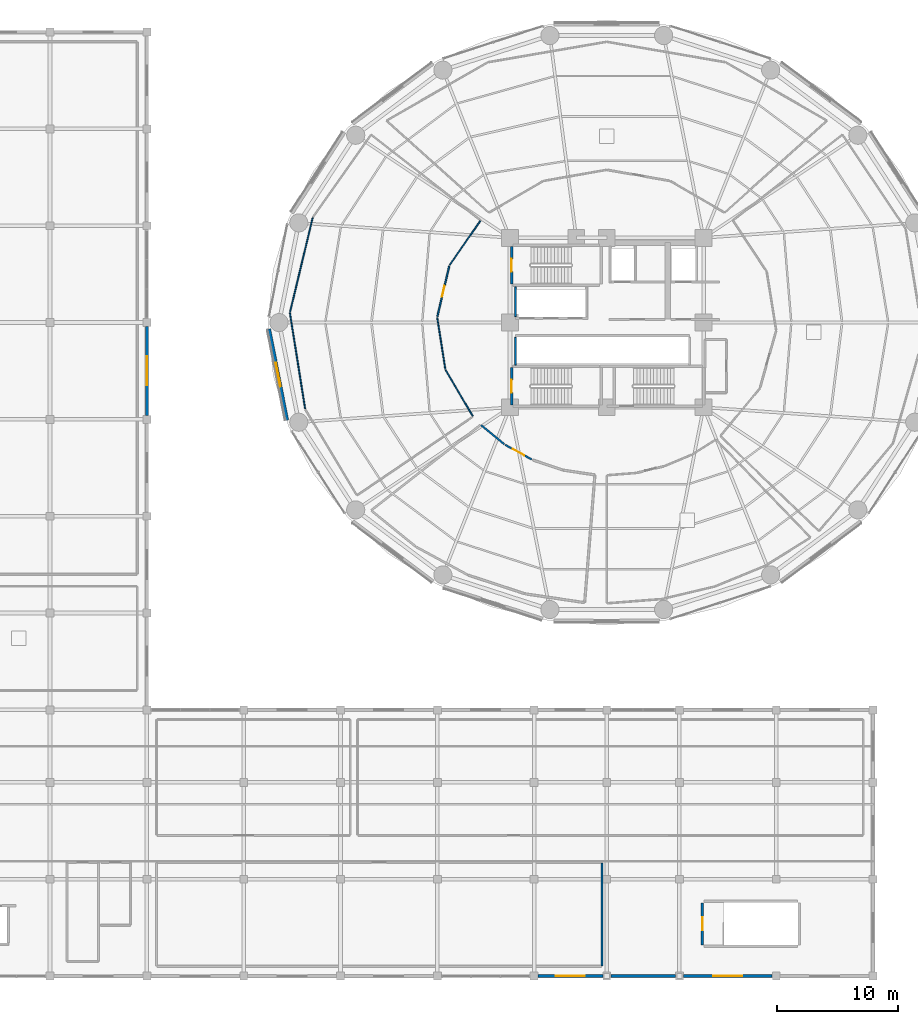
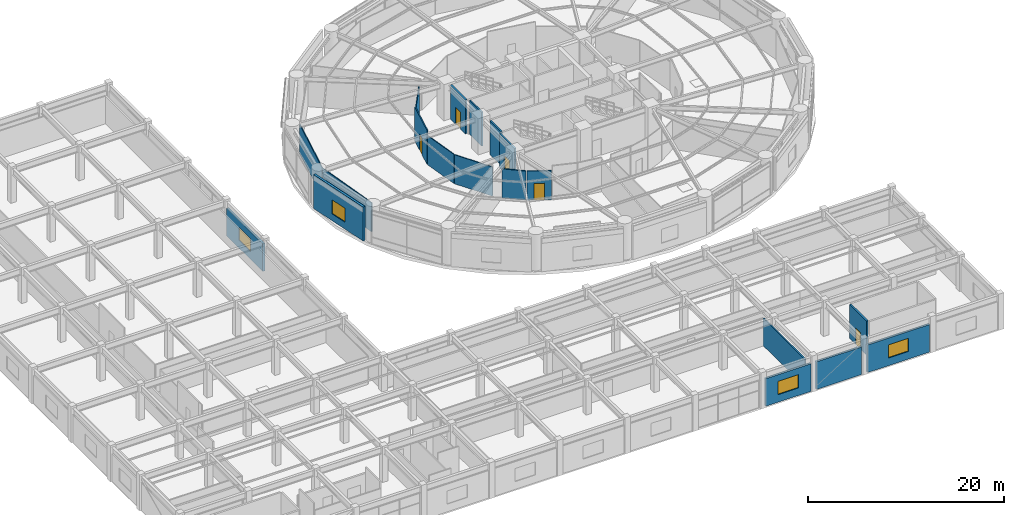
# One storey, part 37 of 46: 19 walls, 5 doors, 4 windows, 9 openings.
"""IFC4 building model written with IfcOpenShell, lengths in metres."""

import ifcopenshell
import ifcopenshell.guid

model = None  # the IFC model being written
_history = None  # IfcOwnerHistory: only IFC2X3 demands one
_inside = {}  # id of a spatial element -> (the spatial element, [elements in it])
_under = {}  # id of a project, library or spatial element -> (it, [spatial elements below it])
_declared = {}  # id of a project -> (the project, [libraries it declares])
_typed = {}  # id of a type object -> (the type object, [elements of that type])
_made_of = {}  # id of a material, layer set ... -> (it, [elements and type objects made of it])


def new_model(schema):
    """Start an empty IFC model of exactly this schema.

    Asked for "IFC4X3", IfcOpenShell would pick the latest addendum, in which some entities
    have other attributes; the version numbers below select the first issue.
    IFC2X3 requires an IfcOwnerHistory on every rooted entity: one is made here for all.
    """
    global model, _history
    if schema == "IFC4X3":
        model = ifcopenshell.file(schema_version=(4, 3, 0, 0))
    else:
        model = ifcopenshell.file(schema=schema)
    _inside.clear()
    _under.clear()
    _declared.clear()
    _typed.clear()
    _made_of.clear()
    _history = None
    if model.schema == "IFC2X3":
        org = make("IfcOrganization", Name="unknown")
        user = make(
            "IfcPersonAndOrganization",
            ThePerson=make("IfcPerson", FamilyName="unknown"),
            TheOrganization=org,
        )
        app = make(
            "IfcApplication",
            ApplicationDeveloper=org,
            Version="unknown",
            ApplicationFullName="unknown",
            ApplicationIdentifier="unknown",
        )
        _history = make(
            "IfcOwnerHistory",
            OwningUser=user,
            OwningApplication=app,
            ChangeAction="ADDED",
            CreationDate=0,
        )
    return model


def make(cls, **values):
    """One entity of the class cls with the attributes given. An attribute that is None is left unset."""
    return model.create_entity(
        cls, **{name: value for name, value in values.items() if value is not None}
    )


def rooted(cls, **values):
    """An entity with a GlobalId (a new one), such as an element, a storey or a relation."""
    return make(cls, GlobalId=ifcopenshell.guid.new(), OwnerHistory=_history, **values)


def si_unit(unit_type, name, prefix=None):
    """IfcSIUnit, for example si_unit("LENGTHUNIT", "METRE", prefix="MILLI")."""
    return make("IfcSIUnit", UnitType=unit_type, Prefix=prefix, Name=name)


def assignment(units):
    """IfcUnitAssignment: the units of a project."""
    return None if units is None else make("IfcUnitAssignment", Units=units)


def point(xyz):
    """IfcCartesianPoint."""
    return None if xyz is None else make("IfcCartesianPoint", Coordinates=xyz)


def direction(xyz):
    """IfcDirection."""
    return None if xyz is None else make("IfcDirection", DirectionRatios=xyz)


def frame(location, z_axis=None, x_axis=None):
    """IfcAxis2Placement3D, a coordinate frame: its origin and axes. An axis left out is left unset."""
    return make(
        "IfcAxis2Placement3D",
        Location=point(location),
        Axis=direction(z_axis),
        RefDirection=direction(x_axis),
    )


def frame_2d(location, x_axis=None):
    """IfcAxis2Placement2D, a coordinate frame in the plane: its origin and x axis."""
    return make(
        "IfcAxis2Placement2D", Location=point(location), RefDirection=direction(x_axis)
    )


def origin():
    """The frame at (0, 0, 0) with its axes left unset."""
    return frame((0.0, 0.0, 0.0))


def place(relative_to, where):
    """IfcLocalPlacement: puts the frame where relative to a parent placement (None: the world)."""
    return make(
        "IfcLocalPlacement", PlacementRelTo=relative_to, RelativePlacement=where
    )


def context(
    kind, dimensions, precision=None, world=None, true_north=None, identifier=None
):
    """IfcGeometricRepresentationContext, for example the 3D "Model" context."""
    return make(
        "IfcGeometricRepresentationContext",
        ContextIdentifier=identifier,
        ContextType=kind,
        CoordinateSpaceDimension=dimensions,
        Precision=precision,
        WorldCoordinateSystem=world,
        TrueNorth=true_north,
    )


def subcontext(parent, identifier, kind, view, scale=None):
    """IfcGeometricRepresentationSubContext, for example "Body" below "Model"."""
    return make(
        "IfcGeometricRepresentationSubContext",
        ContextIdentifier=identifier,
        ContextType=kind,
        ParentContext=parent,
        TargetScale=scale,
        TargetView=view,
    )


def project(units=None, contexts=None):
    """IfcProject with its units and contexts."""
    return rooted(
        "IfcProject",
        Name="project",
        RepresentationContexts=contexts,
        UnitsInContext=assignment(units),
    )


def spatial(cls, under=None, at=None, **own):
    """A site, building, storey or space (cls), placed at a placement, below another one or the project."""
    s = rooted(cls, ObjectPlacement=at, **own)
    if under is not None:
        _under.setdefault(under.id(), (under, []))[1].append(s)
    return s


def profile(cls, at=None, kind="AREA", **sizes):
    """A parametric profile (cls). Its sizes go by their IFC names, for example OverallWidth=200.0."""
    return make(cls, ProfileType=kind, Position=at, **sizes)


def rectangle(**sizes):
    """IfcRectangleProfileDef."""
    return profile("IfcRectangleProfileDef", **sizes)


def extrude(swept, where, along, depth):
    """IfcExtrudedAreaSolid: the profile swept, set in the frame where, extruded along a direction by depth."""
    return make(
        "IfcExtrudedAreaSolid",
        SweptArea=swept,
        Position=where,
        ExtrudedDirection=direction(along),
        Depth=depth,
    )


def shape(context_of_items, identifier, shape_type, items):
    """IfcShapeRepresentation: the items that make up one representation, for example the "Body"."""
    return make(
        "IfcShapeRepresentation",
        ContextOfItems=context_of_items,
        RepresentationIdentifier=identifier,
        RepresentationType=shape_type,
        Items=items,
    )


def material(Name=None, Category=None):
    """IfcMaterial."""
    return make("IfcMaterial", Name=Name, Category=Category)


def layer(
    of_material, thickness, ventilated=None, Name=None, Category=None, Priority=None
):
    """IfcMaterialLayer: one layer of a wall or slab, of a material (None: an air gap)."""
    return make(
        "IfcMaterialLayer",
        Material=of_material,
        LayerThickness=thickness,
        IsVentilated=ventilated,
        Name=Name,
        Category=Category,
        Priority=Priority,
    )


def layer_set(layers, Name=None):
    """IfcMaterialLayerSet."""
    return make("IfcMaterialLayerSet", MaterialLayers=layers, LayerSetName=Name)


def made_of(thing, what):
    """Note that an element or type object is made of a material, layer set ...; save() writes the relation."""
    if what is not None:
        _made_of.setdefault(what.id(), (what, []))[1].append(thing)
    return thing


def type_object(cls, material=None, **own):
    """A type object (cls), such as IfcWallType, which elements share."""
    return made_of(rooted(cls, **own), material)


def element(
    cls,
    number,
    at=None,
    inside=None,
    cuts=None,
    type_object=None,
    material=None,
    context=None,
    identifier="Body",
    shape_type=None,
    held_by="IfcProductDefinitionShape",
    body=None,
    shapes=None,
    **own,
):
    """One element of the class cls, such as IfcWall. Its Tag is "e" and its number.

    at: its placement. inside: the storey or other place that contains it. cuts: it is an
    opening in that element (IfcRelVoidsElement). A single representation is given by context,
    identifier, shape_type and body (its items); several are given by shapes. held_by: the class
    of the entity that holds the representations. save() writes the other relations.
    """
    e = rooted(cls, Tag="e%d" % number, ObjectPlacement=at, **own)
    if body is not None:
        shapes = [shape(context, identifier, shape_type, body)]
    if shapes is not None:
        e.Representation = make(held_by, Representations=shapes)
    if inside is not None:
        _inside.setdefault(inside.id(), (inside, []))[1].append(e)
    if cuts is not None:
        rooted(
            "IfcRelVoidsElement", RelatingBuildingElement=cuts, RelatedOpeningElement=e
        )
    if type_object is not None:
        _typed.setdefault(type_object.id(), (type_object, []))[1].append(e)
    return made_of(e, material)


def fill(opening, filler):
    """IfcRelFillsElement: the door or window that sits in an opening."""
    return rooted(
        "IfcRelFillsElement",
        RelatingOpeningElement=opening,
        RelatedBuildingElement=filler,
    )


def aggregate(whole, parts):
    """IfcRelAggregates: a whole, such as a stair, and the parts it consists of."""
    return rooted("IfcRelAggregates", RelatingObject=whole, RelatedObjects=parts)


def save(model, path):
    """Write the relations noted so far, then the file.

    IfcRelAggregates (storeys below a building ...), IfcRelContainedInSpatialStructure (elements
    in a storey), IfcRelDefinesByType, IfcRelAssociatesMaterial and IfcRelDeclares: one each for
    every whole, place, type object, material and project.
    """
    for whole, parts in _under.values():
        aggregate(whole, parts)
    for where, things in _inside.values():
        rooted(
            "IfcRelContainedInSpatialStructure",
            RelatedElements=things,
            RelatingStructure=where,
        )
    for kind, things in _typed.values():
        rooted("IfcRelDefinesByType", RelatedObjects=things, RelatingType=kind)
    for what, things in _made_of.values():
        rooted("IfcRelAssociatesMaterial", RelatedObjects=things, RelatingMaterial=what)
    for by, libraries in _declared.values():
        rooted("IfcRelDeclares", RelatingContext=by, RelatedDefinitions=libraries)
    model.write(path)


model = new_model("IFC4")

# Units and contexts
model_context = context("Model", 3, precision=1e-05, world=origin(), true_north=direction((0.0, 1.0)))
body_context = subcontext(model_context, "Body", "Model", "MODEL_VIEW")
ifc_project = project(units=[si_unit("LENGTHUNIT", "METRE"), si_unit("AREAUNIT", "SQUARE_METRE"), si_unit("VOLUMEUNIT", "CUBIC_METRE"), si_unit("PLANEANGLEUNIT", "RADIAN"), si_unit("MASSUNIT", "GRAM", prefix="KILO")], contexts=[model_context])

# Site, building, storey
site_placement = place(None, origin())
site = spatial("IfcSite", under=ifc_project, at=site_placement, CompositionType="ELEMENT")
building_placement = place(site_placement, origin())
building = spatial("IfcBuilding", under=site, at=building_placement, Name="Kelanora Arch Commons", CompositionType="ELEMENT")
storey_placement = place(building_placement, frame((0.0, 0.0, 18.0)))
storey = spatial("IfcBuildingStorey", under=building, at=storey_placement, Name="L04", CompositionType="ELEMENT", Elevation=18.0)

# Walls
ifc_material_1 = material(Name="Autoclaved aerated concrete blockwork with fire plaster", Category="masonry")
ifc_layer_1 = layer(ifc_material_1, 0.14990234375)
ifc_layer_set_1 = layer_set([ifc_layer_1], Name="Autoclaved aerated concrete blockwork with fire plaster")
wall_type_1 = type_object("IfcWallType", Name="W-COMP-150", PredefinedType="PARTITIONING", material=ifc_layer_set_1)
wall_1_placement = place(storey_placement, frame((66.4599609375, 58.47998046875, 0.0), z_axis=(0.0, 0.0, 1.0), x_axis=(0.0, 1.0, 0.0)))
element("IfcWall", 1, at=wall_1_placement, inside=storey, type_object=wall_type_1, Name="Low-Rise Lift Bank West Wall L04", PredefinedType="PARTITIONING", context=body_context, shape_type="SweptSolid", body=[
    extrude(rectangle(XDim=2.4599609375, YDim=0.14990234375, at=frame_2d((1.22998046875, 0.0))), origin(), (0.0, 0.0, 1.0), 4.22998046875),
])
wall_2_placement = place(storey_placement, frame((66.4599609375, 54.47998046875, 0.0), z_axis=(0.0, 0.0, 1.0), x_axis=(0.0, 1.0, 0.0)))
element("IfcWall", 2, at=wall_2_placement, inside=storey, type_object=wall_type_1, Name="South Lift Bank West Wall L04", PredefinedType="PARTITIONING", context=body_context, shape_type="SweptSolid", body=[
    extrude(rectangle(XDim=2.2900390625, YDim=0.14990234375, at=frame_2d((1.14501953125, 0.0))), origin(), (0.0, 0.0, 1.0), 4.22998046875),
])

# Wall, opening, door
wall_3_placement = place(storey_placement, frame((65.615478515625, 47.89208984375, 0.0), z_axis=(0.0, 0.0, 1.0), x_axis=(0.875583388941, -0.48306700261, 0.0)))
wall_3 = element("IfcWall", 3, at=wall_3_placement, inside=storey, type_object=wall_type_1, Name="Podium Student Trunk and Linen Store L04 Entry Partition", PredefinedType="PARTITIONING", context=body_context, shape_type="SweptSolid", body=[
    extrude(rectangle(XDim=2.49658203125, YDim=0.14990234375, at=frame_2d((1.248291015625, 0.0))), origin(), (0.0, 0.0, 1.0), 3.625),
])
opening_1_placement = place(wall_3_placement, frame((0.7080078125, 0.0, 0.0)))
opening_1 = element("IfcOpeningElement", 4, at=opening_1_placement, cuts=wall_3, Name="Opening D-PLT1", PredefinedType="OPENING", context=body_context, shape_type="SweptSolid", body=[
    extrude(rectangle(XDim=1.080078125, YDim=2.10009765625, at=frame_2d((0.5400390625, 1.050048828125))), frame((0.0, 0.0849609375, 0.0), z_axis=(0.0, -1.0, 0.0), x_axis=(1.0, 0.0, 0.0)), (0.0, 0.0, 1.0), 0.169921875),
])
ifc_material_2 = material(Name="Galvanised steel plant and riser fire door", Category="steel")
door_type_1 = type_object("IfcDoorType", Name="D-PLT-110", OperationType="NOTDEFINED", PredefinedType="DOOR", material=ifc_material_2)
door_1_placement = place(opening_1_placement, origin())
door_1 = element("IfcDoor", 5, at=door_1_placement, inside=storey, type_object=door_type_1, Name="Podium Student Trunk and Linen Store L04 Door", OperationType="SINGLE_SWING_RIGHT", OverallHeight=2.10009765625, OverallWidth=1.080078125, PredefinedType="DOOR", context=body_context, shape_type="SweptSolid", body=[
    extrude(rectangle(XDim=1.080078125, YDim=2.10009765625, at=frame_2d((0.5400390625, 1.050048828125))), frame((0.0, 0.02490234375, 0.0), z_axis=(0.0, -1.0, 0.0), x_axis=(1.0, 0.0, 0.0)), (0.0, 0.0, 1.0), 0.050048828125),
])
fill(opening_1, door_1)

# Walls
wall_4_placement = place(storey_placement, frame((73.60009765625, 4.840087890625, 0.0), z_axis=(0.0, 0.0, 1.0), x_axis=(0.0, 1.0, 0.0)))
element("IfcWall", 6, at=wall_4_placement, inside=storey, type_object=wall_type_1, Name="Market South Archive and Cold Store L04 Enclosure Partition 2", PredefinedType="PARTITIONING", context=body_context, shape_type="SweptSolid", body=[
    extrude(rectangle(XDim=8.5, YDim=0.14990234375, at=frame_2d((4.25, 0.0))), origin(), (0.0, 0.0, 1.0), 3.445068359375),
])
wall_5_placement = place(storey_placement, frame((63.61181640625, 49.530517578125, 0.0), z_axis=(0.0, 0.0, 1.0), x_axis=(0.771403369324, -0.636346479361, 0.0)))
element("IfcWall", 7, at=wall_5_placement, inside=storey, type_object=wall_type_1, Name="Podium Student Trunk and Linen Store L04 Enclosure Partition 1", PredefinedType="PARTITIONING", context=body_context, shape_type="SweptSolid", body=[
    extrude(rectangle(XDim=2.4892578125, YDim=0.14990234375, at=frame_2d((1.24462890625, 0.0))), origin(), (0.0, 0.0, 1.0), 3.625),
])

# Wall, opening, window
ifc_material_3 = material(Name="Precast concrete C40/50 with terracotta ceramic cladding", Category="masonry")
ifc_layer_2 = layer(ifc_material_3, 0.25)
ifc_layer_set_2 = layer_set([ifc_layer_2], Name="Precast concrete C40/50 with terracotta ceramic cladding")
wall_type_2 = type_object("IfcWallType", Name="W-EXT-MKT", PredefinedType="SOLIDWALL", material=ifc_layer_set_2)
wall_6_placement = place(storey_placement, frame((68.330078125, 4.0, 0.0), z_axis=(0.0, 0.0, 1.0), x_axis=(1.0, 0.0, 0.0)))
wall_6 = element("IfcWall", 8, at=wall_6_placement, inside=storey, type_object=wall_type_2, Name="Market Hall Exterior Wall L04-08", PredefinedType="SOLIDWALL", context=body_context, shape_type="SweptSolid", body=[
    extrude(rectangle(XDim=5.33984375, YDim=0.25, at=frame_2d((2.669921875, 0.0))), origin(), (0.0, 0.0, 1.0), 3.43994140625),
])
opening_2_placement = place(wall_6_placement, frame((1.469970703125, 0.0, 0.949951171875)))
opening_2 = element("IfcOpeningElement", 9, at=opening_2_placement, cuts=wall_6, Name="Opening WN-03", PredefinedType="OPENING", context=body_context, shape_type="SweptSolid", body=[
    extrude(rectangle(XDim=2.39990234375, YDim=1.64990234375, at=frame_2d((1.199951171875, 0.824951171875))), frame((0.0, 0.135009765625, 0.0), z_axis=(0.0, -1.0, 0.0), x_axis=(1.0, 0.0, 0.0)), (0.0, 0.0, 1.0), 0.27001953125),
])
ifc_material_4 = material(Name="Bronze-terracotta aluminium monsoon clerestory window", Category="masonry")
window_type_1 = type_object("IfcWindowType", Name="WIN-MKT-24", PartitioningType="TRIPLE_PANEL_VERTICAL", PredefinedType="WINDOW", material=ifc_material_4)
window_1_placement = place(opening_2_placement, origin())
window_1 = element("IfcWindow", 10, at=window_1_placement, inside=storey, type_object=window_type_1, Name="Market Hall Clerestory Window L04-08", OverallHeight=1.64990234375, OverallWidth=2.39990234375, PartitioningType="SINGLE_PANEL", PredefinedType="WINDOW", context=body_context, shape_type="SweptSolid", body=[
    extrude(rectangle(XDim=2.39990234375, YDim=1.64990234375, at=frame_2d((1.199951171875, 0.824951171875))), frame((0.0, 0.030029296875, 0.0), z_axis=(0.0, -1.0, 0.0), x_axis=(1.0, 0.0, 0.0)), (0.0, 0.0, 1.0), 0.06005859375),
])
fill(opening_2, window_1)

# Wall
wall_7_placement = place(storey_placement, frame((74.330078125, 4.0, 0.0), z_axis=(0.0, 0.0, 1.0), x_axis=(1.0, 0.0, 0.0)))
element("IfcWall", 11, at=wall_7_placement, inside=storey, type_object=wall_type_2, Name="Market Hall Exterior Wall L04-09", PredefinedType="SOLIDWALL", context=body_context, shape_type="SweptSolid", body=[
    extrude(rectangle(XDim=5.33984375, YDim=0.25, at=frame_2d((2.669921875, 0.0))), origin(), (0.0, 0.0, 1.0), 3.43994140625),
])

# Wall, opening, window
wall_8_placement = place(storey_placement, frame((80.330078125, 4.0, 0.0), z_axis=(0.0, 0.0, 1.0), x_axis=(1.0, 0.0, 0.0)))
wall_8 = element("IfcWall", 12, at=wall_8_placement, inside=storey, type_object=wall_type_2, Name="Market Hall Exterior Wall L04-10", PredefinedType="SOLIDWALL", context=body_context, shape_type="SweptSolid", body=[
    extrude(rectangle(XDim=7.33984375, YDim=0.25, at=frame_2d((3.669921875, 0.0))), origin(), (0.0, 0.0, 1.0), 3.43994140625),
])
opening_3_placement = place(wall_8_placement, frame((2.469970703125, 0.0, 0.949951171875)))
opening_3 = element("IfcOpeningElement", 13, at=opening_3_placement, cuts=wall_8, Name="Opening WN-03", PredefinedType="OPENING", context=body_context, shape_type="SweptSolid", body=[
    extrude(rectangle(XDim=2.39990234375, YDim=1.64990234375, at=frame_2d((1.199951171875, 0.824951171875))), frame((0.0, 0.135009765625, 0.0), z_axis=(0.0, -1.0, 0.0), x_axis=(1.0, 0.0, 0.0)), (0.0, 0.0, 1.0), 0.27001953125),
])
window_2_placement = place(opening_3_placement, origin())
window_2 = element("IfcWindow", 14, at=window_2_placement, inside=storey, type_object=window_type_1, Name="Market Hall Clerestory Window L04-10", OverallHeight=1.64990234375, OverallWidth=2.39990234375, PartitioningType="SINGLE_PANEL", PredefinedType="WINDOW", context=body_context, shape_type="SweptSolid", body=[
    extrude(rectangle(XDim=2.39990234375, YDim=1.64990234375, at=frame_2d((1.199951171875, 0.824951171875))), frame((0.0, 0.030029296875, 0.0), z_axis=(0.0, -1.0, 0.0), x_axis=(1.0, 0.0, 0.0)), (0.0, 0.0, 1.0), 0.06005859375),
])
fill(opening_3, window_2)

wall_9_placement = place(storey_placement, frame((36.0, 50.330078125, 0.0), z_axis=(0.0, 0.0, 1.0), x_axis=(0.0, 1.0, 0.0)))
wall_9 = element("IfcWall", 15, at=wall_9_placement, inside=storey, type_object=wall_type_2, Name="Market Hall Exterior Wall L04-26", PredefinedType="SOLIDWALL", context=body_context, shape_type="SweptSolid", body=[
    extrude(rectangle(XDim=7.33984375, YDim=0.25, at=frame_2d((3.669921875, 0.0))), origin(), (0.0, 0.0, 1.0), 3.43994140625),
])
opening_4_placement = place(wall_9_placement, frame((2.469970703125, 0.0, 0.949951171875)))
opening_4 = element("IfcOpeningElement", 16, at=opening_4_placement, cuts=wall_9, Name="Opening WN-03", PredefinedType="OPENING", context=body_context, shape_type="SweptSolid", body=[
    extrude(rectangle(XDim=2.39990234375, YDim=1.64990234375, at=frame_2d((1.199951171875, 0.824951171875))), frame((0.0, 0.135009765625, 0.0), z_axis=(0.0, -1.0, 0.0), x_axis=(1.0, 0.0, 0.0)), (0.0, 0.0, 1.0), 0.27001953125),
])
window_3_placement = place(opening_4_placement, origin())
window_3 = element("IfcWindow", 17, at=window_3_placement, inside=storey, type_object=window_type_1, Name="Market Hall Clerestory Window L04-26", OverallHeight=1.64990234375, OverallWidth=2.39990234375, PartitioningType="SINGLE_PANEL", PredefinedType="WINDOW", context=body_context, shape_type="SweptSolid", body=[
    extrude(rectangle(XDim=2.39990234375, YDim=1.64990234375, at=frame_2d((1.199951171875, 0.824951171875))), frame((0.0, 0.030029296875, 0.0), z_axis=(0.0, -1.0, 0.0), x_axis=(1.0, 0.0, 0.0)), (0.0, 0.0, 1.0), 0.06005859375),
])
fill(opening_4, window_3)

ifc_material_5 = material(Name="Precast concrete C40/50 with terracotta rainscreen", Category="masonry")
ifc_layer_3 = layer(ifc_material_5, 0.260009765625)
ifc_layer_set_3 = layer_set([ifc_layer_3], Name="Precast concrete C40/50 with terracotta rainscreen")
wall_type_3 = type_object("IfcWallType", Name="W-EXT-TC", PredefinedType="SOLIDWALL", material=ifc_layer_set_3)
wall_10_placement = place(storey_placement, frame((46.103515625, 57.4765625, 0.0), z_axis=(0.0, 0.0, 1.0), x_axis=(0.193726159581, -0.98105564322, 0.0)))
wall_10 = element("IfcWall", 18, at=wall_10_placement, inside=storey, type_object=wall_type_3, Name="Terracotta Exterior Wall L04-B09", PredefinedType="SOLIDWALL", context=body_context, shape_type="SweptSolid", body=[
    extrude(rectangle(XDim=7.70263671875, YDim=0.260009765625, at=frame_2d((3.851318359375, 0.0))), origin(), (0.0, 0.0, 1.0), 4.22509765625),
])
opening_5_placement = place(wall_10_placement, frame((2.85107421875, 0.0, 0.85009765625)))
opening_5 = element("IfcOpeningElement", 19, at=opening_5_placement, cuts=wall_10, Name="Opening WN-05", PredefinedType="OPENING", context=body_context, shape_type="SweptSolid", body=[
    extrude(rectangle(XDim=2.0, YDim=1.75, at=frame_2d((1.0, 0.875))), frame((0.0, 0.14013671875, 0.0), z_axis=(0.0, -1.0, 0.0), x_axis=(1.0, 0.0, 0.0)), (0.0, 0.0, 1.0), 0.280029296875),
])
ifc_material_6 = material(Name="Terracotta-anodised aluminium podium window", Category="masonry")
window_type_2 = type_object("IfcWindowType", Name="WIN-POD-20", PartitioningType="TRIPLE_PANEL_VERTICAL", PredefinedType="WINDOW", material=ifc_material_6)
window_4_placement = place(opening_5_placement, origin())
window_4 = element("IfcWindow", 20, at=window_4_placement, inside=storey, type_object=window_type_2, Name="Podium Window L04-B09", OverallHeight=1.75, OverallWidth=2.0, PartitioningType="SINGLE_PANEL", PredefinedType="WINDOW", context=body_context, shape_type="SweptSolid", body=[
    extrude(rectangle(XDim=2.0, YDim=1.75, at=frame_2d((1.0, 0.875))), frame((0.0, 0.030029296875, 0.0), z_axis=(0.0, -1.0, 0.0), x_axis=(1.0, 0.0, 0.0)), (0.0, 0.0, 1.0), 0.06005859375),
])
fill(opening_5, window_4)

# Walls
ifc_material_7 = material(Name="Lightweight fire-rated acoustic stud partition")
ifc_layer_4 = layer(ifc_material_7, 0.10009765625)
ifc_layer_set_4 = layer_set([ifc_layer_4], Name="Lightweight fire-rated acoustic stud partition")
wall_type_4 = type_object("IfcWallType", Name="W-PART-100", PredefinedType="PARTITIONING", material=ifc_layer_set_4)
wall_11_placement = place(storey_placement, frame((63.55810546875, 66.4111328125, 0.0), z_axis=(0.0, 0.0, 1.0), x_axis=(-0.570335061888, -0.821412148182, 0.0)))
element("IfcWall", 21, at=wall_11_placement, inside=storey, type_object=wall_type_4, Name="Student Laundromat and Fitness Studio L04-C Enclosure Partition 1", PredefinedType="PARTITIONING", context=body_context, shape_type="SweptSolid", body=[
    extrude(rectangle(XDim=4.44384765625, YDim=0.10009765625, at=frame_2d((2.221923828125, 0.0))), origin(), (0.0, 0.0, 1.0), 3.625),
])
wall_12_placement = place(storey_placement, frame((59.9951171875, 58.400390625, 0.0), z_axis=(0.0, 0.0, 1.0), x_axis=(0.15415409869, -0.988046817644, 0.0)))
element("IfcWall", 22, at=wall_12_placement, inside=storey, type_object=wall_type_4, Name="Student Laundromat and Fitness Studio L04-C Enclosure Partition 3", PredefinedType="PARTITIONING", context=body_context, shape_type="SweptSolid", body=[
    extrude(rectangle(XDim=4.3125, YDim=0.10009765625, at=frame_2d((2.15625, 0.0))), origin(), (0.0, 0.0, 1.0), 3.625),
])
wall_13_placement = place(storey_placement, frame((60.686279296875, 54.065673828125, 0.0), z_axis=(0.0, 0.0, 1.0), x_axis=(0.508587711925, -0.861010185351, 0.0)))
element("IfcWall", 23, at=wall_13_placement, inside=storey, type_object=wall_type_4, Name="Student Laundromat and Fitness Studio L04-C Enclosure Partition 4", PredefinedType="PARTITIONING", context=body_context, shape_type="SweptSolid", body=[
    extrude(rectangle(XDim=4.414794921875, YDim=0.10009765625, at=frame_2d((2.20751953125, 0.0))), origin(), (0.0, 0.0, 1.0), 3.625),
])
wall_14_placement = place(storey_placement, frame((49.07568359375, 50.87060546875, 0.0), z_axis=(0.0, 0.0, 1.0), x_axis=(-0.156702328253, 0.987645877995, 0.0)))
element("IfcWall", 24, at=wall_14_placement, inside=storey, type_object=wall_type_4, Name="Student Laundromat and Fitness Studio L04-C Enclosure Partition 7", PredefinedType="PARTITIONING", context=body_context, shape_type="SweptSolid", body=[
    extrude(rectangle(XDim=7.998779296875, YDim=0.10009765625, at=frame_2d((3.99951171875, 0.0))), origin(), (0.0, 0.0, 1.0), 3.625),
])
wall_15_placement = place(storey_placement, frame((47.8251953125, 58.848876953125, 0.0), z_axis=(0.0, 0.0, 1.0), x_axis=(0.233462700325, 0.972365758116, 0.0)))
element("IfcWall", 25, at=wall_15_placement, inside=storey, type_object=wall_type_4, Name="Student Laundromat and Fitness Studio L04-C Enclosure Partition 8", PredefinedType="PARTITIONING", context=body_context, shape_type="SweptSolid", body=[
    extrude(rectangle(XDim=8.02490234375, YDim=0.10009765625, at=frame_2d((4.012451171875, 0.0))), origin(), (0.0, 0.0, 1.0), 3.625),
])

# Wall, opening, door
ifc_material_8 = material(Name="Acoustic twin-stud fire-rated gypsum partition")
ifc_layer_5 = layer(ifc_material_8, 0.1201171875)
ifc_layer_set_5 = layer_set([ifc_layer_5], Name="Acoustic twin-stud fire-rated gypsum partition")
wall_type_5 = type_object("IfcWallType", Name="W-PART-120", PredefinedType="PARTITIONING", material=ifc_layer_set_5)
wall_16_placement = place(storey_placement, frame((60.9873046875, 62.669677734375, 0.0), z_axis=(0.0, 0.0, 1.0), x_axis=(-0.229728237891, -0.973254815922, 0.0)))
wall_16 = element("IfcWall", 26, at=wall_16_placement, inside=storey, type_object=wall_type_5, Name="Student Laundromat and Fitness Studio L04-C Entry Partition", PredefinedType="PARTITIONING", context=body_context, shape_type="SweptSolid", body=[
    extrude(rectangle(XDim=4.2861328125, YDim=0.1201171875, at=frame_2d((2.14306640625, 0.0))), origin(), (0.0, 0.0, 1.0), 4.22998046875),
])
opening_6_placement = place(wall_16_placement, frame((1.693115234375, 0.0, 0.0)))
opening_6 = element("IfcOpeningElement", 27, at=opening_6_placement, cuts=wall_16, Name="Opening D-RM1", PredefinedType="OPENING", context=body_context, shape_type="SweptSolid", body=[
    extrude(rectangle(XDim=0.89990234375, YDim=2.080078125, at=frame_2d((0.449951171875, 1.0400390625))), frame((0.0, 0.070068359375, 0.0), z_axis=(0.0, -1.0, 0.0), x_axis=(1.0, 0.0, 0.0)), (0.0, 0.0, 1.0), 0.14013671875),
])
ifc_material_9 = material(Name="Acoustic fire-rated timber study and lounge door", Category="wood")
door_type_2 = type_object("IfcDoorType", Name="D-ROOM-90", OperationType="NOTDEFINED", PredefinedType="DOOR", material=ifc_material_9)
door_2_placement = place(opening_6_placement, origin())
door_2 = element("IfcDoor", 28, at=door_2_placement, inside=storey, type_object=door_type_2, Name="Student Laundromat and Fitness Studio L04-C Door", OperationType="SINGLE_SWING_LEFT", OverallHeight=2.080078125, OverallWidth=0.89990234375, PredefinedType="DOOR", context=body_context, shape_type="SweptSolid", body=[
    extrude(rectangle(XDim=0.89990234375, YDim=2.080078125, at=frame_2d((0.449951171875, 1.0400390625))), frame((0.0, 0.02490234375, 0.0), z_axis=(0.0, -1.0, 0.0), x_axis=(1.0, 0.0, 0.0)), (0.0, 0.0, 1.0), 0.050048828125),
])
fill(opening_6, door_2)

ifc_material_10 = material(Name="Concrete C40/50", Category="concrete")
ifc_layer_6 = layer(ifc_material_10, 0.199951171875)
ifc_layer_set_6 = layer_set([ifc_layer_6], Name="Concrete C40/50")
wall_type_6 = type_object("IfcWallType", Name="W-STAIR-200", PredefinedType="SHEAR", material=ifc_layer_set_6)
wall_17_placement = place(storey_placement, frame((66.139892578125, 64.27001953125, 0.0), z_axis=(0.0, 0.0, 1.0), x_axis=(0.0, -1.0, 0.0)))
wall_17 = element("IfcWall", 29, at=wall_17_placement, inside=storey, type_object=wall_type_6, Name="Stair ST-T1 Shaft Wall W L04", PredefinedType="SHEAR", context=body_context, shape_type="SweptSolid", body=[
    extrude(rectangle(XDim=3.070068359375, YDim=0.199951171875, at=frame_2d((1.53515625, 0.0))), origin(), (0.0, 0.0, 1.0), 4.239990234375),
])
opening_7_placement = place(wall_17_placement, frame((1.010009765625, 0.0, 0.0)))
opening_7 = element("IfcOpeningElement", 30, at=opening_7_placement, cuts=wall_17, Name="Opening D-ST1", PredefinedType="OPENING", context=body_context, shape_type="SweptSolid", body=[
    extrude(rectangle(XDim=1.050048828125, YDim=2.10009765625, at=frame_2d((0.52490234375, 1.050048828125))), frame((0.0, 0.10986328125, 0.0), z_axis=(0.0, -1.0, 0.0), x_axis=(1.0, 0.0, 0.0)), (0.0, 0.0, 1.0), 0.219970703125),
])
ifc_material_11 = material(Name="Steel fire-rated stairwell escape door", Category="steel")
door_type_3 = type_object("IfcDoorType", Name="D-STAIR-110", OperationType="NOTDEFINED", PredefinedType="DOOR", material=ifc_material_11)
door_3_placement = place(opening_7_placement, origin())
door_3 = element("IfcDoor", 31, at=door_3_placement, inside=storey, type_object=door_type_3, Name="Stair ST-T1 Escape Door L04", OperationType="SINGLE_SWING_LEFT", OverallHeight=2.10009765625, OverallWidth=1.050048828125, PredefinedType="DOOR", context=body_context, shape_type="SweptSolid", body=[
    extrude(rectangle(XDim=1.050048828125, YDim=2.10009765625, at=frame_2d((0.52490234375, 1.050048828125))), frame((0.0, 0.02490234375, 0.0), z_axis=(0.0, -1.0, 0.0), x_axis=(1.0, 0.0, 0.0)), (0.0, 0.0, 1.0), 0.050048828125),
])
fill(opening_7, door_3)

wall_18_placement = place(storey_placement, frame((66.139892578125, 54.27001953125, 0.0), z_axis=(0.0, 0.0, 1.0), x_axis=(0.0, -1.0, 0.0)))
wall_18 = element("IfcWall", 32, at=wall_18_placement, inside=storey, type_object=wall_type_6, Name="Stair ST-T3 Shaft Wall W L04", PredefinedType="SHEAR", context=body_context, shape_type="SweptSolid", body=[
    extrude(rectangle(XDim=3.070068359375, YDim=0.199951171875, at=frame_2d((1.53515625, 0.0))), origin(), (0.0, 0.0, 1.0), 4.239990234375),
])
opening_8_placement = place(wall_18_placement, frame((1.010009765625, 0.0, 0.0)))
opening_8 = element("IfcOpeningElement", 33, at=opening_8_placement, cuts=wall_18, Name="Opening D-ST1", PredefinedType="OPENING", context=body_context, shape_type="SweptSolid", body=[
    extrude(rectangle(XDim=1.050048828125, YDim=2.10009765625, at=frame_2d((0.52490234375, 1.050048828125))), frame((0.0, 0.10986328125, 0.0), z_axis=(0.0, -1.0, 0.0), x_axis=(1.0, 0.0, 0.0)), (0.0, 0.0, 1.0), 0.219970703125),
])
door_4_placement = place(opening_8_placement, origin())
door_4 = element("IfcDoor", 34, at=door_4_placement, inside=storey, type_object=door_type_3, Name="Stair ST-T3 Escape Door L04", OperationType="SINGLE_SWING_LEFT", OverallHeight=2.10009765625, OverallWidth=1.050048828125, PredefinedType="DOOR", context=body_context, shape_type="SweptSolid", body=[
    extrude(rectangle(XDim=1.050048828125, YDim=2.10009765625, at=frame_2d((0.52490234375, 1.050048828125))), frame((0.0, 0.02490234375, 0.0), z_axis=(0.0, -1.0, 0.0), x_axis=(1.0, 0.0, 0.0)), (0.0, 0.0, 1.0), 0.050048828125),
])
fill(opening_8, door_4)

wall_19_placement = place(storey_placement, frame((81.89990234375, 10.050048828125, 0.0), z_axis=(0.0, 0.0, 1.0), x_axis=(0.0, -1.0, 0.0)))
wall_19 = element("IfcWall", 35, at=wall_19_placement, inside=storey, type_object=wall_type_6, Name="Stair ST-M2 Shaft Wall W L04", PredefinedType="SHEAR", context=body_context, shape_type="SweptSolid", body=[
    extrude(rectangle(XDim=3.469970703125, YDim=0.199951171875, at=frame_2d((1.73486328125, 0.0))), origin(), (0.0, 0.0, 1.0), 4.260009765625),
])
opening_9_placement = place(wall_19_placement, frame((1.2099609375, 0.0, 0.0)))
opening_9 = element("IfcOpeningElement", 36, at=opening_9_placement, cuts=wall_19, Name="Opening D-ST1", PredefinedType="OPENING", context=body_context, shape_type="SweptSolid", body=[
    extrude(rectangle(XDim=1.050048828125, YDim=2.10009765625, at=frame_2d((0.52490234375, 1.050048828125))), frame((0.0, 0.10986328125, 0.0), z_axis=(0.0, -1.0, 0.0), x_axis=(1.0, 0.0, 0.0)), (0.0, 0.0, 1.0), 0.219970703125),
])
door_5_placement = place(opening_9_placement, origin())
door_5 = element("IfcDoor", 37, at=door_5_placement, inside=storey, type_object=door_type_3, Name="Stair ST-M2 Escape Door L04", OperationType="SINGLE_SWING_LEFT", OverallHeight=2.10009765625, OverallWidth=1.050048828125, PredefinedType="DOOR", context=body_context, shape_type="SweptSolid", body=[
    extrude(rectangle(XDim=1.050048828125, YDim=2.10009765625, at=frame_2d((0.52490234375, 1.050048828125))), frame((0.0, 0.02490234375, 0.0), z_axis=(0.0, -1.0, 0.0), x_axis=(1.0, 0.0, 0.0)), (0.0, 0.0, 1.0), 0.050048828125),
])
fill(opening_9, door_5)

save(model, "model.ifc")
